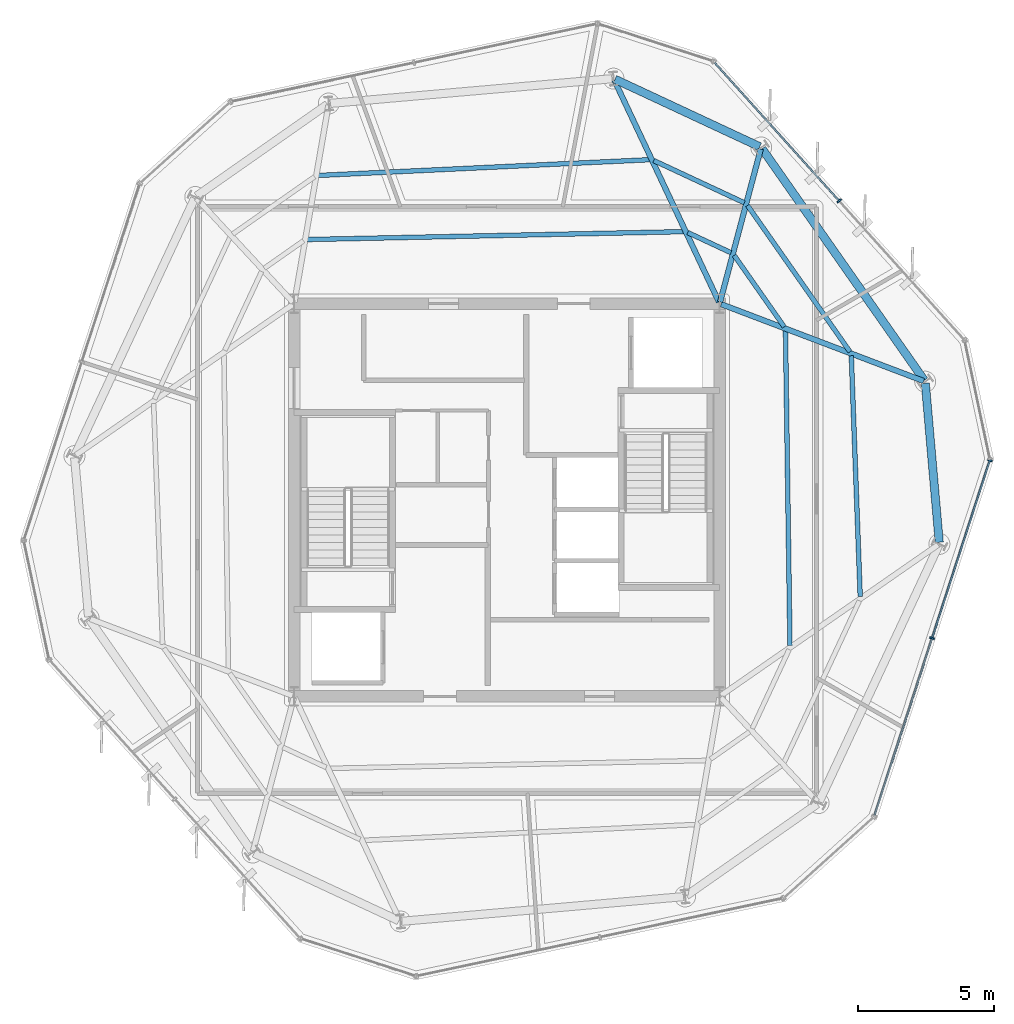
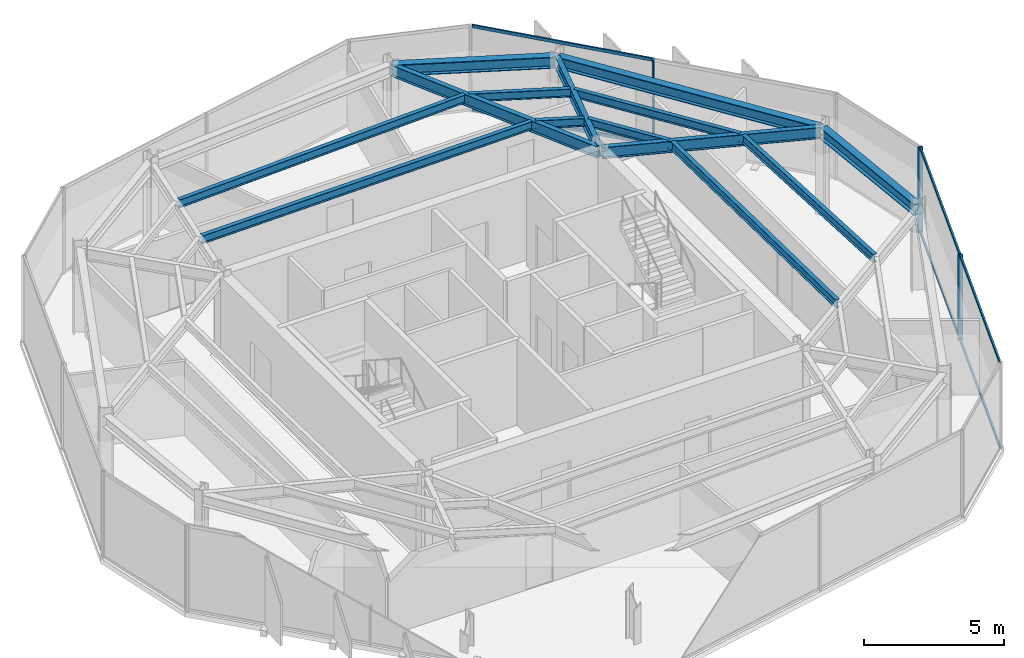
# One storey, part 5 of 13: 14 beams, 9 members, 2 elements without a shape of their own.
"""IFC4 building model written with IfcOpenShell, lengths in metres."""

from ifc_helpers import new_model, si_unit, direction, frame, origin, origin_2d, place, context, subcontext, project, spatial, rectangle, i_section, extrude, material, layer, layer_set, material_profile, profile_set, type_object, element, aggregate, save


model = new_model("IFC4")

# Units and contexts
model_context = context("Model", 3, precision=1e-05, world=origin(), true_north=direction((0.0, 1.0)))
body_context = subcontext(model_context, "Body", "Model", "MODEL_VIEW")
ifc_project = project(units=[si_unit("LENGTHUNIT", "METRE"), si_unit("AREAUNIT", "SQUARE_METRE"), si_unit("VOLUMEUNIT", "CUBIC_METRE"), si_unit("PLANEANGLEUNIT", "RADIAN"), si_unit("MASSUNIT", "GRAM", prefix="KILO")], contexts=[model_context])

# Site, building, storey
site_placement = place(None, origin())
site = spatial("IfcSite", under=ifc_project, at=site_placement, CompositionType="ELEMENT")
building_placement = place(site_placement, origin())
building = spatial("IfcBuilding", under=site, at=building_placement, Name="Kranzbogen Civic Tower", CompositionType="ELEMENT")
storey_placement = place(building_placement, frame((0.0, 0.0, 314.199951171875)))
storey = spatial("IfcBuildingStorey", under=building, at=storey_placement, Name="L76", CompositionType="ELEMENT", Elevation=314.199951171875)

# Curtain wall, members
ifc_material_1 = material(Name="Pale Anodised Aluminium", Category="aluminium")
ifc_layer = layer(ifc_material_1, 0.219970703125, Name="Pale Anodised Aluminium")
ifc_layer_set = layer_set([ifc_layer], Name="Pale Anodised Aluminium")
curtain_wall_type = type_object("IfcCurtainWallType", Name="Zone 4 Stick Curtain Wall System CW-05", PredefinedType="USERDEFINED", material=ifc_layer_set)
curtain_wall_1_placement = place(storey_placement, origin())
curtain_wall_1 = element("IfcCurtainWall", 1, at=curtain_wall_1_placement, inside=storey, type_object=curtain_wall_type, Name="L76 curtain wall CW-L76-F5", ObjectType="STICK CURTAIN WALL", PredefinedType="USERDEFINED")
ifc_material_profile_1 = material_profile(ifc_material_1, rectangle(XDim=0.06494140625, YDim=0.179931640625, at=origin_2d()), Name="ALU-M 65x180")
ifc_profile_set_1 = profile_set([ifc_material_profile_1], Name="Pale Anodised Aluminium")
member_type_1 = type_object("IfcMemberType", Name="Curtain Wall Mullion ALU-M 65x180", PredefinedType="MULLION", material=ifc_profile_set_1)
member_1_placement = place(storey_placement, frame((40.5849609375, 19.935546875, 0.0), z_axis=(0.0, 0.0, 1.0), x_axis=(0.309005589548, 0.951060221872, 0.0)))
member_1 = element("IfcMember", 2, at=member_1_placement, type_object=member_type_1, Name="CW-05 mullion 2", PredefinedType="MULLION", context=body_context, shape_type="SweptSolid", body=[
    extrude(rectangle(XDim=0.06494140625, YDim=0.179931640625, at=origin_2d()), origin(), (0.0, 0.0, 1.0), 3.739990234375),
])
member_2_placement = place(storey_placement, frame((42.70263671875, 26.453369140625, 0.0), z_axis=(0.0, 0.0, 1.0), x_axis=(0.309005589548, 0.951060221872, 0.0)))
member_2 = element("IfcMember", 3, at=member_2_placement, type_object=member_type_1, Name="CW-05 mullion 3", PredefinedType="MULLION", context=body_context, shape_type="SweptSolid", body=[
    extrude(rectangle(XDim=0.06494140625, YDim=0.179931640625, at=origin_2d()), origin(), (0.0, 0.0, 1.0), 3.739990234375),
])

# Curtain wall, member
curtain_wall_2_placement = place(storey_placement, origin())
curtain_wall_2 = element("IfcCurtainWall", 4, at=curtain_wall_2_placement, inside=storey, type_object=curtain_wall_type, Name="L76 curtain wall CW-L76-F6", ObjectType="STICK CURTAIN WALL", PredefinedType="USERDEFINED")
member_3_placement = place(storey_placement, frame((37.177978515625, 35.965087890625, 0.0), z_axis=(0.0, 0.0, 1.0), x_axis=(-0.669165371932, 0.743113520943, 0.0)))
member_3 = element("IfcMember", 5, at=member_3_placement, type_object=member_type_1, Name="CW-05 mullion 2", PredefinedType="MULLION", context=body_context, shape_type="SweptSolid", body=[
    extrude(rectangle(XDim=0.06494140625, YDim=0.179931640625, at=origin_2d()), origin(), (0.0, 0.0, 1.0), 3.739990234375),
])

# Member
ifc_material_profile_2 = material_profile(ifc_material_1, rectangle(XDim=0.06494140625, YDim=0.135009765625, at=origin_2d()), Name="ALU-T 65x135")
ifc_profile_set_2 = profile_set([ifc_material_profile_2], Name="Pale Anodised Aluminium")
member_type_2 = type_object("IfcMemberType", Name="Curtain Wall Transom ALU-T 65x135", PredefinedType="USERDEFINED", material=ifc_profile_set_2)
member_4_placement = place(storey_placement, frame((38.4765625, 13.446044921875, 0.030029296875), z_axis=(0.308995057745, 0.951063643658, 0.0), x_axis=(-0.951063643658, 0.308995057745, 0.0)))
member_4 = element("IfcMember", 6, at=member_4_placement, type_object=member_type_2, Name="CW-05 transom 1.1", ObjectType="TRANSOM", PredefinedType="USERDEFINED", context=body_context, shape_type="SweptSolid", body=[
    extrude(rectangle(XDim=0.06494140625, YDim=0.135009765625, at=origin_2d()), origin(), (0.0, 0.0, 1.0), 6.79345703125),
])

member_5_placement = place(storey_placement, frame((38.4765625, 13.446044921875, 3.7099609375), z_axis=(0.308995057745, 0.951063643658, 0.0), x_axis=(-0.951063643658, 0.308995057745, 0.0)))
member_5 = element("IfcMember", 7, at=member_5_placement, type_object=member_type_2, Name="CW-05 transom 1.2", ObjectType="TRANSOM", PredefinedType="USERDEFINED", context=body_context, shape_type="SweptSolid", body=[
    extrude(rectangle(XDim=0.06494140625, YDim=0.135009765625, at=origin_2d()), origin(), (0.0, 0.0, 1.0), 6.79345703125),
])

member_6_placement = place(storey_placement, frame((40.59423828125, 19.964111328125, 0.030029296875), z_axis=(0.308995057745, 0.951063643658, 0.0), x_axis=(-0.951063643658, 0.308995057745, 0.0)))
member_6 = element("IfcMember", 8, at=member_6_placement, type_object=member_type_2, Name="CW-05 transom 2.1", ObjectType="TRANSOM", PredefinedType="USERDEFINED", context=body_context, shape_type="SweptSolid", body=[
    extrude(rectangle(XDim=0.06494140625, YDim=0.135009765625, at=origin_2d()), origin(), (0.0, 0.0, 1.0), 6.79345703125),
])

member_7_placement = place(storey_placement, frame((40.59423828125, 19.964111328125, 3.7099609375), z_axis=(0.308995057745, 0.951063643658, 0.0), x_axis=(-0.951063643658, 0.308995057745, 0.0)))
member_7 = element("IfcMember", 9, at=member_7_placement, type_object=member_type_2, Name="CW-05 transom 2.2", ObjectType="TRANSOM", PredefinedType="USERDEFINED", context=body_context, shape_type="SweptSolid", body=[
    extrude(rectangle(XDim=0.06494140625, YDim=0.135009765625, at=origin_2d()), origin(), (0.0, 0.0, 1.0), 6.79345703125),
])

aggregate(curtain_wall_1, [member_1, member_2, member_4, member_5, member_6, member_7])

member_8_placement = place(storey_placement, frame((37.157958984375, 35.9873046875, 0.030029296875), z_axis=(-0.669177159139, 0.743102906526, 0.0), x_axis=(-0.743102906526, -0.669177159139, 0.0)))
member_8 = element("IfcMember", 10, at=member_8_placement, type_object=member_type_2, Name="CW-05 transom 2.1", ObjectType="TRANSOM", PredefinedType="USERDEFINED", context=body_context, shape_type="SweptSolid", body=[
    extrude(rectangle(XDim=0.06494140625, YDim=0.135009765625, at=origin_2d()), origin(), (0.0, 0.0, 1.0), 6.793212890625),
])

member_9_placement = place(storey_placement, frame((37.157958984375, 35.9873046875, 3.7099609375), z_axis=(-0.669177159139, 0.743102906526, 0.0), x_axis=(-0.743102906526, -0.669177159139, 0.0)))
member_9 = element("IfcMember", 11, at=member_9_placement, type_object=member_type_2, Name="CW-05 transom 2.2", ObjectType="TRANSOM", PredefinedType="USERDEFINED", context=body_context, shape_type="SweptSolid", body=[
    extrude(rectangle(XDim=0.06494140625, YDim=0.135009765625, at=origin_2d()), origin(), (0.0, 0.0, 1.0), 6.793212890625),
])

aggregate(curtain_wall_2, [member_3, member_8, member_9])

# Beams
ifc_material_2 = material(Name="Steel S355", Category="steel")
ifc_material_profile_3 = material_profile(ifc_material_2, i_section(OverallWidth=0.300048828125, OverallDepth=0.5, WebThickness=0.014404296875, FlangeThickness=0.028076171875, at=origin_2d()), Name="HEB 500")
ifc_profile_set_3 = profile_set([ifc_material_profile_3], Name="Steel S355")
beam_type_1 = type_object("IfcBeamType", Name="Perimeter Tube Spandrel Beam HEB 500", PredefinedType="SPANDREL", material=ifc_profile_set_3)
beam_1_placement = place(storey_placement, frame((40.85009765625, 23.449951171875, 3.489990234375), z_axis=(-0.087326362434, 0.99617975608, 0.0), x_axis=(-0.99617975608, -0.087326362434, 0.0)))
element("IfcBeam", 12, at=beam_1_placement, inside=storey, type_object=beam_type_1, Name="L76 perimeter spandrel beam 06", PredefinedType="SPANDREL", context=body_context, shape_type="SweptSolid", body=[
    extrude(i_section(OverallWidth=0.300048828125, OverallDepth=0.5, WebThickness=0.014404296875, FlangeThickness=0.028076171875, at=origin_2d()), origin(), (0.0, 0.0, 1.0), 5.8515625),
])
beam_2_placement = place(storey_placement, frame((40.300048828125, 29.387939453125, 3.489990234375), z_axis=(-0.573577759301, 0.819151117948, 0.0), x_axis=(-0.819151117948, -0.573577759301, 0.0)))
element("IfcBeam", 13, at=beam_2_placement, inside=storey, type_object=beam_type_1, Name="L76 perimeter spandrel beam 07", PredefinedType="SPANDREL", context=body_context, shape_type="SweptSolid", body=[
    extrude(i_section(OverallWidth=0.300048828125, OverallDepth=0.5, WebThickness=0.014404296875, FlangeThickness=0.028076171875, at=origin_2d()), origin(), (0.0, 0.0, 1.0), 10.36328125),
])
beam_3_placement = place(storey_placement, frame((34.26806640625, 37.950927734375, 3.489990234375), z_axis=(-0.906289661556, 0.422657129784, 0.0), x_axis=(-0.422657129784, -0.906289661556, 0.0)))
element("IfcBeam", 14, at=beam_3_placement, inside=storey, type_object=beam_type_1, Name="L76 perimeter spandrel beam 08", PredefinedType="SPANDREL", context=body_context, shape_type="SweptSolid", body=[
    extrude(i_section(OverallWidth=0.300048828125, OverallDepth=0.5, WebThickness=0.014404296875, FlangeThickness=0.028076171875, at=origin_2d()), origin(), (0.0, 0.0, 1.0), 5.853759765625),
])
ifc_material_profile_4 = material_profile(ifc_material_2, i_section(OverallWidth=0.199951171875, OverallDepth=0.5, WebThickness=0.01025390625, FlangeThickness=0.01611328125, at=origin_2d()), Name="IPE 500")
ifc_profile_set_4 = profile_set([ifc_material_profile_4], Name="Steel S355")
beam_type_2 = type_object("IfcBeamType", Name="Radial Tower Floor Girder IPE 500", PredefinedType="BEAM", material=ifc_profile_set_4)
beam_4_placement = place(storey_placement, frame((40.278076171875, 29.360107421875, 3.489990234375), z_axis=(-0.934848709689, 0.355046320913, 0.0), x_axis=(-0.355046320913, -0.934848709689, 0.0)))
element("IfcBeam", 15, at=beam_4_placement, inside=storey, type_object=beam_type_2, Name="L76 radial floor girder 07", PredefinedType="BEAM", context=body_context, shape_type="SweptSolid", body=[
    extrude(i_section(OverallWidth=0.199951171875, OverallDepth=0.5, WebThickness=0.01025390625, FlangeThickness=0.01611328125, at=origin_2d()), origin(), (0.0, 0.0, 1.0), 7.939453125),
])
beam_5_placement = place(storey_placement, frame((34.306884765625, 37.867919921875, 3.489990234375), z_axis=(-0.257016017622, -0.966407143333, 0.0), x_axis=(0.966407143333, -0.257016017622, 0.0)))
element("IfcBeam", 16, at=beam_5_placement, inside=storey, type_object=beam_type_2, Name="L76 radial floor girder 08", PredefinedType="BEAM", context=body_context, shape_type="SweptSolid", body=[
    extrude(i_section(OverallWidth=0.199951171875, OverallDepth=0.5, WebThickness=0.01025390625, FlangeThickness=0.01611328125, at=origin_2d()), origin(), (0.0, 0.0, 1.0), 5.804931640625),
])
beam_6_placement = place(storey_placement, frame((28.93505859375, 40.39599609375, 3.489990234375), z_axis=(0.426460441273, -0.904506214478, 0.0), x_axis=(0.904506214478, 0.426460441273, 0.0)))
element("IfcBeam", 17, at=beam_6_placement, inside=storey, type_object=beam_type_2, Name="L76 radial floor girder 09", PredefinedType="BEAM", context=body_context, shape_type="SweptSolid", body=[
    extrude(i_section(OverallWidth=0.199951171875, OverallDepth=0.5, WebThickness=0.01025390625, FlangeThickness=0.01611328125, at=origin_2d()), origin(), (0.0, 0.0, 1.0), 9.001708984375),
])
ifc_material_profile_5 = material_profile(ifc_material_2, i_section(OverallWidth=0.169921875, OverallDepth=0.360107421875, WebThickness=0.008056640625, FlangeThickness=0.0126953125, at=origin_2d()), Name="IPE 360")
ifc_profile_set_5 = profile_set([ifc_material_profile_5], Name="Steel S355")
beam_type_3 = type_object("IfcBeamType", Name="Secondary Composite Floor Joist IPE 360", PredefinedType="JOIST", material=ifc_profile_set_5)
beam_7_placement = place(storey_placement, frame((37.951904296875, 21.4580078125, 3.56005859375), z_axis=(-0.036992246074, 0.999315552631, 0.0), x_axis=(-0.999315552631, -0.036992246074, 0.0)))
element("IfcBeam", 18, at=beam_7_placement, inside=storey, type_object=beam_type_3, Name="L76 secondary floor joist 1.06", PredefinedType="JOIST", context=body_context, shape_type="SweptSolid", body=[
    extrude(i_section(OverallWidth=0.169921875, OverallDepth=0.360107421875, WebThickness=0.008056640625, FlangeThickness=0.0126953125, at=origin_2d()), origin(), (0.0, 0.0, 1.0), 8.837158203125),
])
beam_8_placement = place(storey_placement, frame((35.3759765625, 19.6689453125, 3.56005859375), z_axis=(-0.014221385906, 0.999898870978, 0.0), x_axis=(-0.999898870978, -0.014221385906, 0.0)))
element("IfcBeam", 19, at=beam_8_placement, inside=storey, type_object=beam_type_3, Name="L76 secondary floor joist 2.06", PredefinedType="JOIST", context=body_context, shape_type="SweptSolid", body=[
    extrude(i_section(OverallWidth=0.169921875, OverallDepth=0.360107421875, WebThickness=0.008056640625, FlangeThickness=0.0126953125, at=origin_2d()), origin(), (0.0, 0.0, 1.0), 11.536376953125),
])
beam_9_placement = place(storey_placement, frame((37.575927734375, 30.43408203125, 3.56005859375), z_axis=(-0.573499872939, 0.819205649235, 0.0), x_axis=(-0.819205649235, -0.573499872939, 0.0)))
element("IfcBeam", 20, at=beam_9_placement, inside=storey, type_object=beam_type_3, Name="L76 secondary floor joist 1.07", PredefinedType="JOIST", context=body_context, shape_type="SweptSolid", body=[
    extrude(i_section(OverallWidth=0.169921875, OverallDepth=0.360107421875, WebThickness=0.008056640625, FlangeThickness=0.0126953125, at=origin_2d()), origin(), (0.0, 0.0, 1.0), 6.549072265625),
])
beam_10_placement = place(storey_placement, frame((35.1650390625, 31.35009765625, 3.56005859375), z_axis=(-0.573498248491, 0.819206786457, 0.0), x_axis=(-0.819206786457, -0.573498248491, 0.0)))
element("IfcBeam", 21, at=beam_10_placement, inside=storey, type_object=beam_type_3, Name="L76 secondary floor joist 2.07", PredefinedType="JOIST", context=body_context, shape_type="SweptSolid", body=[
    extrude(i_section(OverallWidth=0.169921875, OverallDepth=0.360107421875, WebThickness=0.008056640625, FlangeThickness=0.0126953125, at=origin_2d()), origin(), (0.0, 0.0, 1.0), 3.194580078125),
])
beam_11_placement = place(storey_placement, frame((33.701904296875, 35.89794921875, 3.56005859375), z_axis=(-0.906303996948, 0.422626389517, 0.0), x_axis=(-0.422626389517, -0.906303996948, 0.0)))
element("IfcBeam", 22, at=beam_11_placement, inside=storey, type_object=beam_type_3, Name="L76 secondary floor joist 1.08", PredefinedType="JOIST", context=body_context, shape_type="SweptSolid", body=[
    extrude(i_section(OverallWidth=0.169921875, OverallDepth=0.360107421875, WebThickness=0.008056640625, FlangeThickness=0.0126953125, at=origin_2d()), origin(), (0.0, 0.0, 1.0), 3.6630859375),
])
beam_12_placement = place(storey_placement, frame((33.215087890625, 34.06591796875, 3.56005859375), z_axis=(-0.906432174342, 0.422351409751, 0.0), x_axis=(-0.422351409751, -0.906432174342, 0.0)))
element("IfcBeam", 23, at=beam_12_placement, inside=storey, type_object=beam_type_3, Name="L76 secondary floor joist 2.08", PredefinedType="JOIST", context=body_context, shape_type="SweptSolid", body=[
    extrude(i_section(OverallWidth=0.169921875, OverallDepth=0.360107421875, WebThickness=0.008056640625, FlangeThickness=0.0126953125, at=origin_2d()), origin(), (0.0, 0.0, 1.0), 1.751953125),
])
beam_13_placement = place(storey_placement, frame((30.22998046875, 37.47607421875, 3.56005859375), z_axis=(-0.998871634781, -0.047491654324, 0.0), x_axis=(0.047491654324, -0.998871634781, 0.0)))
element("IfcBeam", 24, at=beam_13_placement, inside=storey, type_object=beam_type_3, Name="L76 secondary floor joist 1.09", PredefinedType="JOIST", context=body_context, shape_type="SweptSolid", body=[
    extrude(i_section(OverallWidth=0.169921875, OverallDepth=0.360107421875, WebThickness=0.008056640625, FlangeThickness=0.0126953125, at=origin_2d()), origin(), (0.0, 0.0, 1.0), 12.152587890625),
])
beam_14_placement = place(storey_placement, frame((31.47509765625, 34.837890625, 3.56005859375), z_axis=(-0.999780746893, -0.020939392104, 0.0), x_axis=(0.020939392104, -0.999780746893, 0.0)))
element("IfcBeam", 25, at=beam_14_placement, inside=storey, type_object=beam_type_3, Name="L76 secondary floor joist 2.09", PredefinedType="JOIST", context=body_context, shape_type="SweptSolid", body=[
    extrude(i_section(OverallWidth=0.169921875, OverallDepth=0.360107421875, WebThickness=0.008056640625, FlangeThickness=0.0126953125, at=origin_2d()), origin(), (0.0, 0.0, 1.0), 13.79296875),
])

save(model, "model.ifc")
